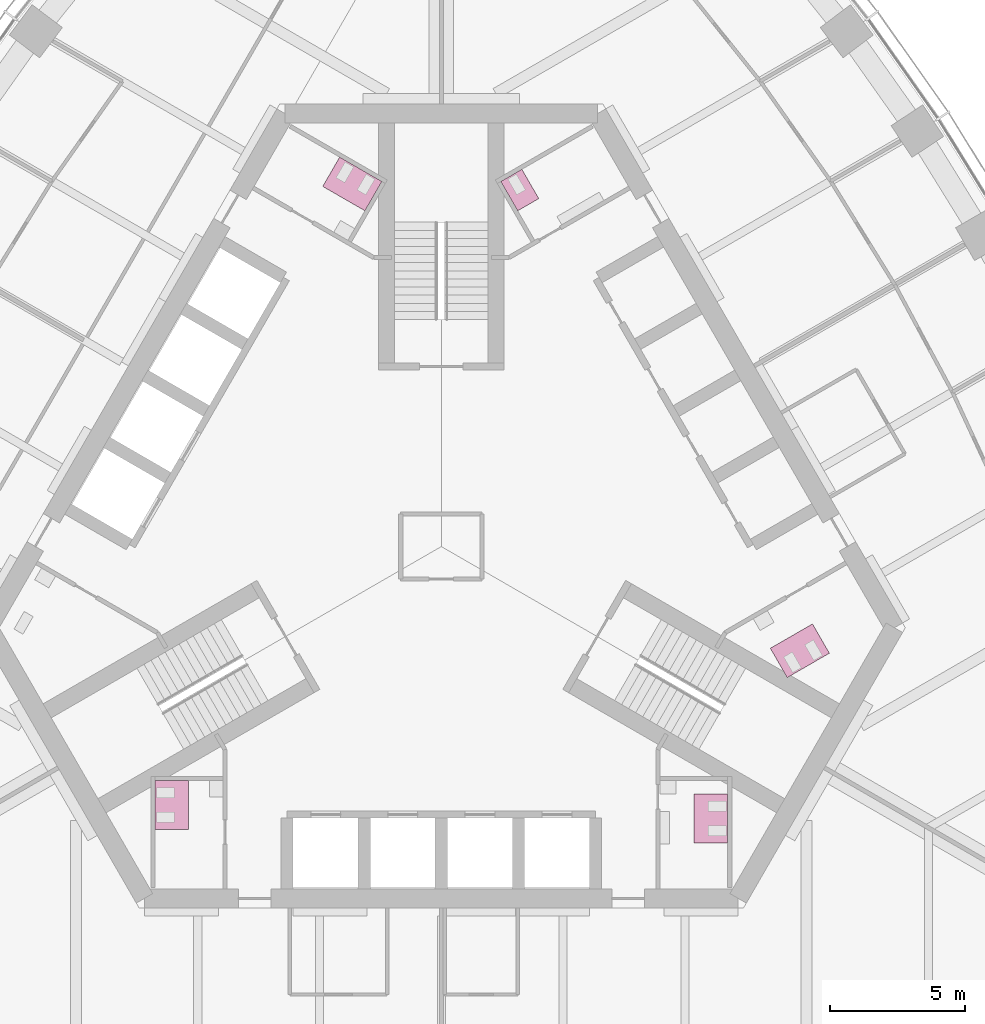
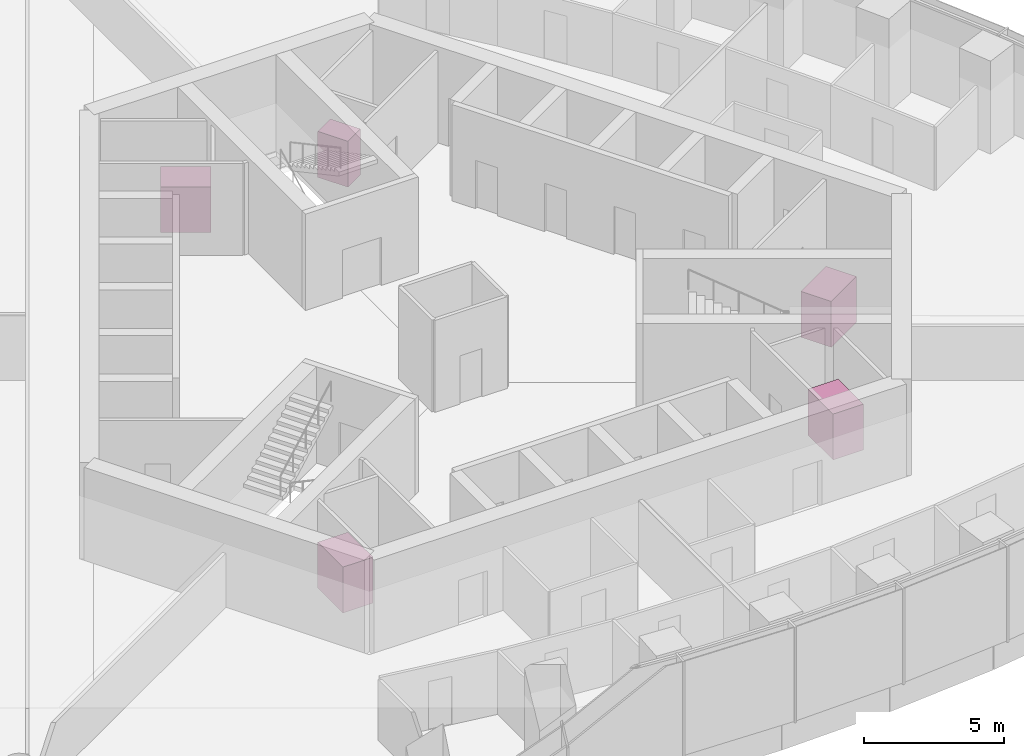
# One storey, part 16 of 16: 5 furniture elements.
"""IFC4 building model written with IfcOpenShell, lengths in metres."""

from ifc_helpers import new_model, si_unit, direction, frame, origin, place, context, subcontext, project, spatial, polyline, outline, extrude, material, type_object, element, save


model = new_model("IFC4")

# Units and contexts
model_context = context("Model", 3, precision=1e-05, world=origin(), true_north=direction((0.0, 1.0)))
body_context = subcontext(model_context, "Body", "Model", "MODEL_VIEW")
ifc_project = project(units=[si_unit("LENGTHUNIT", "METRE"), si_unit("AREAUNIT", "SQUARE_METRE"), si_unit("VOLUMEUNIT", "CUBIC_METRE"), si_unit("PLANEANGLEUNIT", "RADIAN"), si_unit("MASSUNIT", "GRAM", prefix="KILO")], contexts=[model_context])

# Site, building, storey
site_placement = place(None, origin())
site = spatial("IfcSite", under=ifc_project, at=site_placement, CompositionType="ELEMENT")
building_placement = place(site_placement, origin())
building = spatial("IfcBuilding", under=site, at=building_placement, Name="Trefoil Bronze Tower", CompositionType="ELEMENT")
storey_placement = place(building_placement, frame((0.0, 0.0, 284.699951171875)))
storey = spatial("IfcBuildingStorey", under=building, at=storey_placement, Name="L65", CompositionType="ELEMENT", Elevation=284.699951171875)

# Furniture
ifc_material_1 = material(Name="Compact laminate cubicles", Category="plastic")
furniture_type_1 = type_object("IfcFurnitureType", Name="WC cubicle range 1 cubicles", AssemblyPlace="FACTORY", PredefinedType="USERDEFINED", material=ifc_material_1)
furniture_1_placement = place(storey_placement, origin())
element("IfcFurniture", 1, at=furniture_1_placement, inside=storey, type_object=furniture_type_1, Name="WC cubicle range WC (men) L65", ObjectType="WC cubicle range", PredefinedType="USERDEFINED", context=body_context, shape_type="SweptSolid", body=[
    extrude(outline(polyline([(2.82373046875, 12.409423828125), (2.19873046875, 13.491943359375), (2.97802734375, 13.94189453125), (3.60302734375, 12.859375), (2.82373046875, 12.409423828125)])), origin(), (0.0, 0.0, 1.0), 2.0),
])
ifc_material_2 = material(Name="Compact laminate cubicles", Category="plastic")
furniture_type_2 = type_object("IfcFurnitureType", Name="WC cubicle range 2 cubicles", AssemblyPlace="FACTORY", PredefinedType="USERDEFINED", material=ifc_material_2)
furniture_2_placement = place(storey_placement, origin())
element("IfcFurniture", 2, at=furniture_2_placement, inside=storey, type_object=furniture_type_2, Name="WC cubicle range WC (men) L65", ObjectType="WC cubicle range", PredefinedType="USERDEFINED", context=body_context, shape_type="SweptSolid", body=[
    extrude(outline(polyline([(9.3349609375, -9.14990234375), (10.5849609375, -9.14990234375), (10.5849609375, -10.949951171875), (9.3349609375, -10.949951171875), (9.3349609375, -9.14990234375)])), origin(), (0.0, 0.0, 1.0), 2.0),
])
furniture_3_placement = place(storey_placement, origin())
element("IfcFurniture", 3, at=furniture_3_placement, inside=storey, type_object=furniture_type_2, Name="WC cubicle range WC (women) L65", ObjectType="WC cubicle range", PredefinedType="USERDEFINED", context=body_context, shape_type="SweptSolid", body=[
    extrude(outline(polyline([(12.15869140625, -3.75927734375), (12.78369140625, -4.841796875), (14.342529296875, -3.94189453125), (13.717529296875, -2.859375), (12.15869140625, -3.75927734375)])), origin(), (0.0, 0.0, 1.0), 2.0),
])
furniture_4_placement = place(storey_placement, origin())
element("IfcFurniture", 4, at=furniture_4_placement, inside=storey, type_object=furniture_type_2, Name="WC cubicle range WC (women) L65", ObjectType="WC cubicle range", PredefinedType="USERDEFINED", context=body_context, shape_type="SweptSolid", body=[
    extrude(outline(polyline([(-2.82373046875, 12.409423828125), (-2.19873046875, 13.491943359375), (-3.757568359375, 14.391845703125), (-4.382568359375, 13.309326171875), (-2.82373046875, 12.409423828125)])), origin(), (0.0, 0.0, 1.0), 2.0),
])
furniture_5_placement = place(storey_placement, origin())
element("IfcFurniture", 5, at=furniture_5_placement, inside=storey, type_object=furniture_type_2, Name="WC cubicle range WC (women) L65", ObjectType="WC cubicle range", PredefinedType="USERDEFINED", context=body_context, shape_type="SweptSolid", body=[
    extrude(outline(polyline([(-9.3349609375, -8.64990234375), (-10.5849609375, -8.64990234375), (-10.5849609375, -10.449951171875), (-9.3349609375, -10.449951171875), (-9.3349609375, -8.64990234375)])), origin(), (0.0, 0.0, 1.0), 2.0),
])

save(model, "model.ifc")
